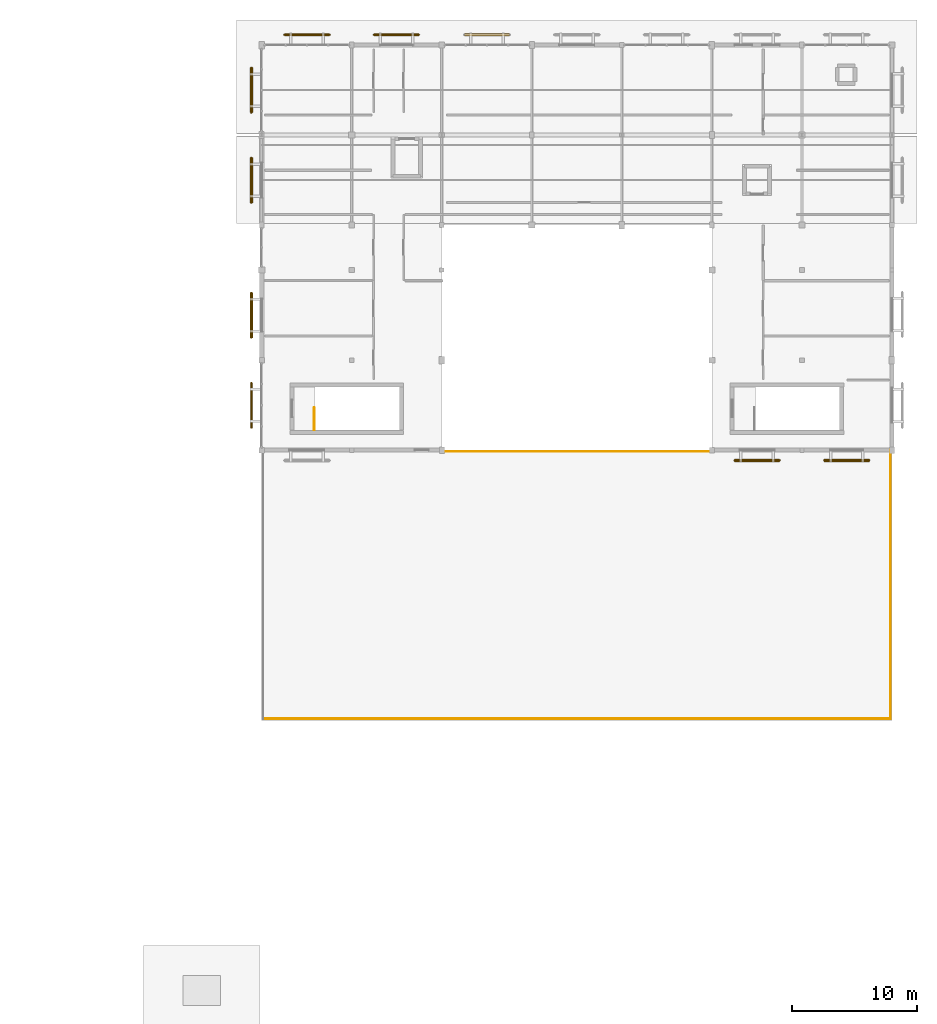
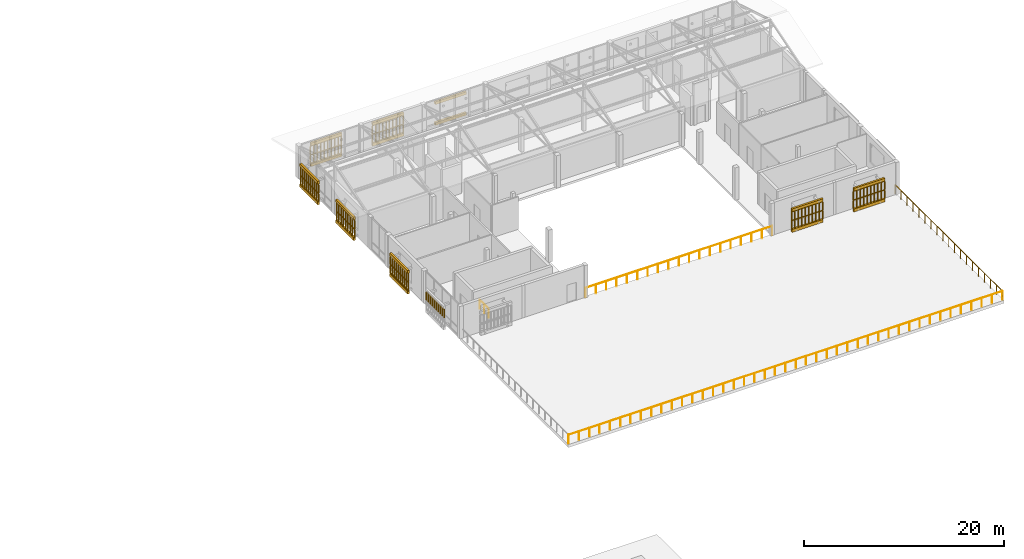
# One storey, part 60 of 61: 19 railings, 16 coverings.
"""IFC4 building model written with IfcOpenShell, lengths in metres."""

import ifcopenshell
import ifcopenshell.guid

model = None  # the IFC model being written
_history = None  # IfcOwnerHistory: only IFC2X3 demands one
_inside = {}  # id of a spatial element -> (the spatial element, [elements in it])
_under = {}  # id of a project, library or spatial element -> (it, [spatial elements below it])
_declared = {}  # id of a project -> (the project, [libraries it declares])
_typed = {}  # id of a type object -> (the type object, [elements of that type])
_made_of = {}  # id of a material, layer set ... -> (it, [elements and type objects made of it])


def new_model(schema):
    """Start an empty IFC model of exactly this schema.

    Asked for "IFC4X3", IfcOpenShell would pick the latest addendum, in which some entities
    have other attributes; the version numbers below select the first issue.
    IFC2X3 requires an IfcOwnerHistory on every rooted entity: one is made here for all.
    """
    global model, _history
    if schema == "IFC4X3":
        model = ifcopenshell.file(schema_version=(4, 3, 0, 0))
    else:
        model = ifcopenshell.file(schema=schema)
    _inside.clear()
    _under.clear()
    _declared.clear()
    _typed.clear()
    _made_of.clear()
    _history = None
    if model.schema == "IFC2X3":
        org = make("IfcOrganization", Name="unknown")
        user = make(
            "IfcPersonAndOrganization",
            ThePerson=make("IfcPerson", FamilyName="unknown"),
            TheOrganization=org,
        )
        app = make(
            "IfcApplication",
            ApplicationDeveloper=org,
            Version="unknown",
            ApplicationFullName="unknown",
            ApplicationIdentifier="unknown",
        )
        _history = make(
            "IfcOwnerHistory",
            OwningUser=user,
            OwningApplication=app,
            ChangeAction="ADDED",
            CreationDate=0,
        )
    return model


def make(cls, **values):
    """One entity of the class cls with the attributes given. An attribute that is None is left unset."""
    return model.create_entity(
        cls, **{name: value for name, value in values.items() if value is not None}
    )


def rooted(cls, **values):
    """An entity with a GlobalId (a new one), such as an element, a storey or a relation."""
    return make(cls, GlobalId=ifcopenshell.guid.new(), OwnerHistory=_history, **values)


def si_unit(unit_type, name, prefix=None):
    """IfcSIUnit, for example si_unit("LENGTHUNIT", "METRE", prefix="MILLI")."""
    return make("IfcSIUnit", UnitType=unit_type, Prefix=prefix, Name=name)


def assignment(units):
    """IfcUnitAssignment: the units of a project."""
    return None if units is None else make("IfcUnitAssignment", Units=units)


def point(xyz):
    """IfcCartesianPoint."""
    return None if xyz is None else make("IfcCartesianPoint", Coordinates=xyz)


def direction(xyz):
    """IfcDirection."""
    return None if xyz is None else make("IfcDirection", DirectionRatios=xyz)


def frame(location, z_axis=None, x_axis=None):
    """IfcAxis2Placement3D, a coordinate frame: its origin and axes. An axis left out is left unset."""
    return make(
        "IfcAxis2Placement3D",
        Location=point(location),
        Axis=direction(z_axis),
        RefDirection=direction(x_axis),
    )


def frame_2d(location, x_axis=None):
    """IfcAxis2Placement2D, a coordinate frame in the plane: its origin and x axis."""
    return make(
        "IfcAxis2Placement2D", Location=point(location), RefDirection=direction(x_axis)
    )


def origin():
    """The frame at (0, 0, 0) with its axes left unset."""
    return frame((0.0, 0.0, 0.0))


def origin_2d():
    """The frame at (0, 0) in the plane with its x axis left unset."""
    return frame_2d((0.0, 0.0))


def place(relative_to, where):
    """IfcLocalPlacement: puts the frame where relative to a parent placement (None: the world)."""
    return make(
        "IfcLocalPlacement", PlacementRelTo=relative_to, RelativePlacement=where
    )


def context(
    kind, dimensions, precision=None, world=None, true_north=None, identifier=None
):
    """IfcGeometricRepresentationContext, for example the 3D "Model" context."""
    return make(
        "IfcGeometricRepresentationContext",
        ContextIdentifier=identifier,
        ContextType=kind,
        CoordinateSpaceDimension=dimensions,
        Precision=precision,
        WorldCoordinateSystem=world,
        TrueNorth=true_north,
    )


def subcontext(parent, identifier, kind, view, scale=None):
    """IfcGeometricRepresentationSubContext, for example "Body" below "Model"."""
    return make(
        "IfcGeometricRepresentationSubContext",
        ContextIdentifier=identifier,
        ContextType=kind,
        ParentContext=parent,
        TargetScale=scale,
        TargetView=view,
    )


def project(units=None, contexts=None):
    """IfcProject with its units and contexts."""
    return rooted(
        "IfcProject",
        Name="project",
        RepresentationContexts=contexts,
        UnitsInContext=assignment(units),
    )


def spatial(cls, under=None, at=None, **own):
    """A site, building, storey or space (cls), placed at a placement, below another one or the project."""
    s = rooted(cls, ObjectPlacement=at, **own)
    if under is not None:
        _under.setdefault(under.id(), (under, []))[1].append(s)
    return s


def polyline(points):
    """IfcPolyline through the points."""
    return make("IfcPolyline", Points=[point(p) for p in points])


def profile(cls, at=None, kind="AREA", **sizes):
    """A parametric profile (cls). Its sizes go by their IFC names, for example OverallWidth=200.0."""
    return make(cls, ProfileType=kind, Position=at, **sizes)


def circle(**sizes):
    """IfcCircleProfileDef."""
    return profile("IfcCircleProfileDef", **sizes)


def outline(outer, holes=None, kind="AREA"):
    """IfcArbitraryClosedProfileDef: a profile drawn as a closed curve; with holes, ...WithVoids."""
    if holes is None:
        return make("IfcArbitraryClosedProfileDef", ProfileType=kind, OuterCurve=outer)
    return make(
        "IfcArbitraryProfileDefWithVoids",
        ProfileType=kind,
        OuterCurve=outer,
        InnerCurves=holes,
    )


def extrude(swept, where, along, depth):
    """IfcExtrudedAreaSolid: the profile swept, set in the frame where, extruded along a direction by depth."""
    return make(
        "IfcExtrudedAreaSolid",
        SweptArea=swept,
        Position=where,
        ExtrudedDirection=direction(along),
        Depth=depth,
    )


def shape(context_of_items, identifier, shape_type, items):
    """IfcShapeRepresentation: the items that make up one representation, for example the "Body"."""
    return make(
        "IfcShapeRepresentation",
        ContextOfItems=context_of_items,
        RepresentationIdentifier=identifier,
        RepresentationType=shape_type,
        Items=items,
    )


def material(Name=None, Category=None):
    """IfcMaterial."""
    return make("IfcMaterial", Name=Name, Category=Category)


def layer(
    of_material, thickness, ventilated=None, Name=None, Category=None, Priority=None
):
    """IfcMaterialLayer: one layer of a wall or slab, of a material (None: an air gap)."""
    return make(
        "IfcMaterialLayer",
        Material=of_material,
        LayerThickness=thickness,
        IsVentilated=ventilated,
        Name=Name,
        Category=Category,
        Priority=Priority,
    )


def layer_set(layers, Name=None):
    """IfcMaterialLayerSet."""
    return make("IfcMaterialLayerSet", MaterialLayers=layers, LayerSetName=Name)


def made_of(thing, what):
    """Note that an element or type object is made of a material, layer set ...; save() writes the relation."""
    if what is not None:
        _made_of.setdefault(what.id(), (what, []))[1].append(thing)
    return thing


def type_object(cls, material=None, **own):
    """A type object (cls), such as IfcWallType, which elements share."""
    return made_of(rooted(cls, **own), material)


def element(
    cls,
    number,
    at=None,
    inside=None,
    cuts=None,
    type_object=None,
    material=None,
    context=None,
    identifier="Body",
    shape_type=None,
    held_by="IfcProductDefinitionShape",
    body=None,
    shapes=None,
    **own,
):
    """One element of the class cls, such as IfcWall. Its Tag is "e" and its number.

    at: its placement. inside: the storey or other place that contains it. cuts: it is an
    opening in that element (IfcRelVoidsElement). A single representation is given by context,
    identifier, shape_type and body (its items); several are given by shapes. held_by: the class
    of the entity that holds the representations. save() writes the other relations.
    """
    e = rooted(cls, Tag="e%d" % number, ObjectPlacement=at, **own)
    if body is not None:
        shapes = [shape(context, identifier, shape_type, body)]
    if shapes is not None:
        e.Representation = make(held_by, Representations=shapes)
    if inside is not None:
        _inside.setdefault(inside.id(), (inside, []))[1].append(e)
    if cuts is not None:
        rooted(
            "IfcRelVoidsElement", RelatingBuildingElement=cuts, RelatedOpeningElement=e
        )
    if type_object is not None:
        _typed.setdefault(type_object.id(), (type_object, []))[1].append(e)
    return made_of(e, material)


def aggregate(whole, parts):
    """IfcRelAggregates: a whole, such as a stair, and the parts it consists of."""
    return rooted("IfcRelAggregates", RelatingObject=whole, RelatedObjects=parts)


def save(model, path):
    """Write the relations noted so far, then the file.

    IfcRelAggregates (storeys below a building ...), IfcRelContainedInSpatialStructure (elements
    in a storey), IfcRelDefinesByType, IfcRelAssociatesMaterial and IfcRelDeclares: one each for
    every whole, place, type object, material and project.
    """
    for whole, parts in _under.values():
        aggregate(whole, parts)
    for where, things in _inside.values():
        rooted(
            "IfcRelContainedInSpatialStructure",
            RelatedElements=things,
            RelatingStructure=where,
        )
    for kind, things in _typed.values():
        rooted("IfcRelDefinesByType", RelatedObjects=things, RelatingType=kind)
    for what, things in _made_of.values():
        rooted("IfcRelAssociatesMaterial", RelatedObjects=things, RelatingMaterial=what)
    for by, libraries in _declared.values():
        rooted("IfcRelDeclares", RelatingContext=by, RelatedDefinitions=libraries)
    model.write(path)


model = new_model("IFC4")

# Units and contexts
model_context = context("Model", 3, precision=1e-05, world=origin(), true_north=direction((0.0, 1.0)))
body_context = subcontext(model_context, "Body", "Model", "MODEL_VIEW")
ifc_project = project(units=[si_unit("LENGTHUNIT", "METRE"), si_unit("AREAUNIT", "SQUARE_METRE"), si_unit("VOLUMEUNIT", "CUBIC_METRE"), si_unit("PLANEANGLEUNIT", "RADIAN"), si_unit("MASSUNIT", "GRAM", prefix="KILO")], contexts=[model_context])

# Site, building, storey
site_placement = place(None, origin())
site = spatial("IfcSite", under=ifc_project, at=site_placement, CompositionType="ELEMENT")
building_placement = place(site_placement, origin())
building = spatial("IfcBuilding", under=site, at=building_placement, Name="Mazaris Harbour Polytechnic", CompositionType="ELEMENT")
storey_placement = place(building_placement, frame((0.0, 0.0, 18.0)))
storey = spatial("IfcBuildingStorey", under=building, at=storey_placement, Name="L04", CompositionType="ELEMENT", Elevation=18.0)

# Railings
ifc_material_1 = material(Name="Algerian Buff Limestone", Category="masonry")
railing_type_1 = type_object("IfcRailingType", Name="Limestone Roof Garden Balustrade 1100", PredefinedType="BALUSTRADE", material=ifc_material_1)
railing_1_placement = place(storey_placement, frame((122.52001953125, 46.919921875, 0.0)))
element("IfcRailing", 1, at=railing_1_placement, inside=storey, type_object=railing_type_1, Name="Railing BAL-V5-S", PredefinedType="BALUSTRADE", context=body_context, shape_type="SweptSolid", body=[
    extrude(circle(Radius=0.02392578125, at=origin_2d()), frame((0.0, 0.0, 1.09619140625), z_axis=(1.0, 0.0, 0.0), x_axis=(0.0, 1.0, 0.0)), (0.0, 0.0, 1.0), 50.159912109375),
    extrude(circle(Radius=0.02099609375, at=origin_2d()), origin(), (0.0, 0.0, 1.0), 1.072021484375),
    extrude(circle(Radius=0.02099609375, at=origin_2d()), frame((1.1943359375, 0.0, 0.0)), (0.0, 0.0, 1.0), 1.072021484375),
    extrude(circle(Radius=0.02099609375, at=origin_2d()), frame((2.388671875, 0.0, 0.0)), (0.0, 0.0, 1.0), 1.072021484375),
    extrude(circle(Radius=0.02099609375, at=origin_2d()), frame((3.582763671875, 0.0, 0.0)), (0.0, 0.0, 1.0), 1.072021484375),
    extrude(circle(Radius=0.02099609375, at=origin_2d()), frame((4.777099609375, 0.0, 0.0)), (0.0, 0.0, 1.0), 1.072021484375),
    extrude(circle(Radius=0.02099609375, at=origin_2d()), frame((5.971435546875, 0.0, 0.0)), (0.0, 0.0, 1.0), 1.072021484375),
    extrude(circle(Radius=0.02099609375, at=origin_2d()), frame((7.165771484375, 0.0, 0.0)), (0.0, 0.0, 1.0), 1.072021484375),
    extrude(circle(Radius=0.02099609375, at=origin_2d()), frame((8.35986328125, 0.0, 0.0)), (0.0, 0.0, 1.0), 1.072021484375),
    extrude(circle(Radius=0.02099609375, at=origin_2d()), frame((9.55419921875, 0.0, 0.0)), (0.0, 0.0, 1.0), 1.072021484375),
    extrude(circle(Radius=0.02099609375, at=origin_2d()), frame((10.74853515625, 0.0, 0.0)), (0.0, 0.0, 1.0), 1.072021484375),
    extrude(circle(Radius=0.02099609375, at=origin_2d()), frame((11.94287109375, 0.0, 0.0)), (0.0, 0.0, 1.0), 1.072021484375),
    extrude(circle(Radius=0.02099609375, at=origin_2d()), frame((13.13720703125, 0.0, 0.0)), (0.0, 0.0, 1.0), 1.072021484375),
    extrude(circle(Radius=0.02099609375, at=origin_2d()), frame((14.331298828125, 0.0, 0.0)), (0.0, 0.0, 1.0), 1.072021484375),
    extrude(circle(Radius=0.02099609375, at=origin_2d()), frame((15.525634765625, 0.0, 0.0)), (0.0, 0.0, 1.0), 1.072021484375),
    extrude(circle(Radius=0.02099609375, at=origin_2d()), frame((16.719970703125, 0.0, 0.0)), (0.0, 0.0, 1.0), 1.072021484375),
    extrude(circle(Radius=0.02099609375, at=origin_2d()), frame((17.914306640625, 0.0, 0.0)), (0.0, 0.0, 1.0), 1.072021484375),
    extrude(circle(Radius=0.02099609375, at=origin_2d()), frame((19.108642578125, 0.0, 0.0)), (0.0, 0.0, 1.0), 1.072021484375),
    extrude(circle(Radius=0.02099609375, at=origin_2d()), frame((20.302734375, 0.0, 0.0)), (0.0, 0.0, 1.0), 1.072021484375),
    extrude(circle(Radius=0.02099609375, at=origin_2d()), frame((21.4970703125, 0.0, 0.0)), (0.0, 0.0, 1.0), 1.072021484375),
    extrude(circle(Radius=0.02099609375, at=origin_2d()), frame((22.69140625, 0.0, 0.0)), (0.0, 0.0, 1.0), 1.072021484375),
    extrude(circle(Radius=0.02099609375, at=origin_2d()), frame((23.8857421875, 0.0, 0.0)), (0.0, 0.0, 1.0), 1.072021484375),
    extrude(circle(Radius=0.02099609375, at=origin_2d()), frame((25.080078125, 0.0, 0.0)), (0.0, 0.0, 1.0), 1.072021484375),
    extrude(circle(Radius=0.02099609375, at=origin_2d()), frame((26.274169921875, 0.0, 0.0)), (0.0, 0.0, 1.0), 1.072021484375),
    extrude(circle(Radius=0.02099609375, at=origin_2d()), frame((27.468505859375, 0.0, 0.0)), (0.0, 0.0, 1.0), 1.072021484375),
    extrude(circle(Radius=0.02099609375, at=origin_2d()), frame((28.662841796875, 0.0, 0.0)), (0.0, 0.0, 1.0), 1.072021484375),
    extrude(circle(Radius=0.02099609375, at=origin_2d()), frame((29.857177734375, 0.0, 0.0)), (0.0, 0.0, 1.0), 1.072021484375),
    extrude(circle(Radius=0.02099609375, at=origin_2d()), frame((31.05126953125, 0.0, 0.0)), (0.0, 0.0, 1.0), 1.072021484375),
    extrude(circle(Radius=0.02099609375, at=origin_2d()), frame((32.24560546875, 0.0, 0.0)), (0.0, 0.0, 1.0), 1.072021484375),
    extrude(circle(Radius=0.02099609375, at=origin_2d()), frame((33.43994140625, 0.0, 0.0)), (0.0, 0.0, 1.0), 1.072021484375),
    extrude(circle(Radius=0.02099609375, at=origin_2d()), frame((34.63427734375, 0.0, 0.0)), (0.0, 0.0, 1.0), 1.072021484375),
    extrude(circle(Radius=0.02099609375, at=origin_2d()), frame((35.82861328125, 0.0, 0.0)), (0.0, 0.0, 1.0), 1.072021484375),
    extrude(circle(Radius=0.02099609375, at=origin_2d()), frame((37.022705078125, 0.0, 0.0)), (0.0, 0.0, 1.0), 1.072021484375),
    extrude(circle(Radius=0.02099609375, at=origin_2d()), frame((38.217041015625, 0.0, 0.0)), (0.0, 0.0, 1.0), 1.072021484375),
    extrude(circle(Radius=0.02099609375, at=origin_2d()), frame((39.411376953125, 0.0, 0.0)), (0.0, 0.0, 1.0), 1.072021484375),
    extrude(circle(Radius=0.02099609375, at=origin_2d()), frame((40.605712890625, 0.0, 0.0)), (0.0, 0.0, 1.0), 1.072021484375),
    extrude(circle(Radius=0.02099609375, at=origin_2d()), frame((41.7998046875, 0.0, 0.0)), (0.0, 0.0, 1.0), 1.072021484375),
    extrude(circle(Radius=0.02099609375, at=origin_2d()), frame((42.994140625, 0.0, 0.0)), (0.0, 0.0, 1.0), 1.072021484375),
    extrude(circle(Radius=0.02099609375, at=origin_2d()), frame((44.1884765625, 0.0, 0.0)), (0.0, 0.0, 1.0), 1.072021484375),
    extrude(circle(Radius=0.02099609375, at=origin_2d()), frame((45.3828125, 0.0, 0.0)), (0.0, 0.0, 1.0), 1.072021484375),
    extrude(circle(Radius=0.02099609375, at=origin_2d()), frame((46.5771484375, 0.0, 0.0)), (0.0, 0.0, 1.0), 1.072021484375),
    extrude(circle(Radius=0.02099609375, at=origin_2d()), frame((47.771240234375, 0.0, 0.0)), (0.0, 0.0, 1.0), 1.072021484375),
    extrude(circle(Radius=0.02099609375, at=origin_2d()), frame((48.965576171875, 0.0, 0.0)), (0.0, 0.0, 1.0), 1.072021484375),
    extrude(circle(Radius=0.02099609375, at=origin_2d()), frame((50.159912109375, 0.0, 0.0)), (0.0, 0.0, 1.0), 1.072021484375),
])
railing_2_placement = place(storey_placement, frame((172.679931640625, 46.919921875, 0.0)))
element("IfcRailing", 2, at=railing_2_placement, inside=storey, type_object=railing_type_1, Name="Railing BAL-V5-E", PredefinedType="BALUSTRADE", context=body_context, shape_type="SweptSolid", body=[
    extrude(circle(Radius=0.02392578125, at=origin_2d()), frame((0.0, 0.0, 1.09619140625), z_axis=(0.0, 1.0, 0.0), x_axis=(-1.0, 0.0, 0.0)), (0.0, 0.0, 1.0), 21.47998046875),
    extrude(circle(Radius=0.02099609375, at=origin_2d()), origin(), (0.0, 0.0, 1.0), 1.072021484375),
    extrude(circle(Radius=0.02099609375, at=origin_2d()), frame((0.0, 1.193359375, 0.0)), (0.0, 0.0, 1.0), 1.072021484375),
    extrude(circle(Radius=0.02099609375, at=origin_2d()), frame((0.0, 2.38671875, 0.0)), (0.0, 0.0, 1.0), 1.072021484375),
    extrude(circle(Radius=0.02099609375, at=origin_2d()), frame((0.0, 3.580078125, 0.0)), (0.0, 0.0, 1.0), 1.072021484375),
    extrude(circle(Radius=0.02099609375, at=origin_2d()), frame((0.0, 4.7734375, 0.0)), (0.0, 0.0, 1.0), 1.072021484375),
    extrude(circle(Radius=0.02099609375, at=origin_2d()), frame((0.0, 5.966552734375, 0.0)), (0.0, 0.0, 1.0), 1.072021484375),
    extrude(circle(Radius=0.02099609375, at=origin_2d()), frame((0.0, 7.159912109375, 0.0)), (0.0, 0.0, 1.0), 1.072021484375),
    extrude(circle(Radius=0.02099609375, at=origin_2d()), frame((0.0, 8.353271484375, 0.0)), (0.0, 0.0, 1.0), 1.072021484375),
    extrude(circle(Radius=0.02099609375, at=origin_2d()), frame((0.0, 9.546630859375, 0.0)), (0.0, 0.0, 1.0), 1.072021484375),
    extrude(circle(Radius=0.02099609375, at=origin_2d()), frame((0.0, 10.739990234375, 0.0)), (0.0, 0.0, 1.0), 1.072021484375),
    extrude(circle(Radius=0.02099609375, at=origin_2d()), frame((0.0, 11.933349609375, 0.0)), (0.0, 0.0, 1.0), 1.072021484375),
    extrude(circle(Radius=0.02099609375, at=origin_2d()), frame((0.0, 13.126708984375, 0.0)), (0.0, 0.0, 1.0), 1.072021484375),
    extrude(circle(Radius=0.02099609375, at=origin_2d()), frame((0.0, 14.320068359375, 0.0)), (0.0, 0.0, 1.0), 1.072021484375),
    extrude(circle(Radius=0.02099609375, at=origin_2d()), frame((0.0, 15.513427734375, 0.0)), (0.0, 0.0, 1.0), 1.072021484375),
    extrude(circle(Radius=0.02099609375, at=origin_2d()), frame((0.0, 16.70654296875, 0.0)), (0.0, 0.0, 1.0), 1.072021484375),
    extrude(circle(Radius=0.02099609375, at=origin_2d()), frame((0.0, 17.89990234375, 0.0)), (0.0, 0.0, 1.0), 1.072021484375),
    extrude(circle(Radius=0.02099609375, at=origin_2d()), frame((0.0, 19.09326171875, 0.0)), (0.0, 0.0, 1.0), 1.072021484375),
    extrude(circle(Radius=0.02099609375, at=origin_2d()), frame((0.0, 20.28662109375, 0.0)), (0.0, 0.0, 1.0), 1.072021484375),
    extrude(circle(Radius=0.02099609375, at=origin_2d()), frame((0.0, 21.47998046875, 0.0)), (0.0, 0.0, 1.0), 1.072021484375),
])
railing_3_placement = place(storey_placement, frame((158.39990234375, 68.280029296875, 0.0)))
element("IfcRailing", 3, at=railing_3_placement, inside=storey, type_object=railing_type_1, Name="Railing BAL-V5-N-COURT", PredefinedType="BALUSTRADE", context=body_context, shape_type="SweptSolid", body=[
    extrude(circle(Radius=0.02392578125, at=origin_2d()), frame((0.0, 0.0, 1.09619140625), z_axis=(-1.0, 0.0, 0.0), x_axis=(0.0, -1.0, 0.0)), (0.0, 0.0, 1.0), 21.599853515625),
    extrude(circle(Radius=0.02099609375, at=origin_2d()), origin(), (0.0, 0.0, 1.0), 1.072021484375),
    extrude(circle(Radius=0.02099609375, at=origin_2d()), frame((-1.199951171875, 0.0, 0.0)), (0.0, 0.0, 1.0), 1.072021484375),
    extrude(circle(Radius=0.02099609375, at=origin_2d()), frame((-2.39990234375, 0.0, 0.0)), (0.0, 0.0, 1.0), 1.072021484375),
    extrude(circle(Radius=0.02099609375, at=origin_2d()), frame((-3.60009765625, 0.0, 0.0)), (0.0, 0.0, 1.0), 1.072021484375),
    extrude(circle(Radius=0.02099609375, at=origin_2d()), frame((-4.800048828125, 0.0, 0.0)), (0.0, 0.0, 1.0), 1.072021484375),
    extrude(circle(Radius=0.02099609375, at=origin_2d()), frame((-6.0, 0.0, 0.0)), (0.0, 0.0, 1.0), 1.072021484375),
    extrude(circle(Radius=0.02099609375, at=origin_2d()), frame((-7.199951171875, 0.0, 0.0)), (0.0, 0.0, 1.0), 1.072021484375),
    extrude(circle(Radius=0.02099609375, at=origin_2d()), frame((-8.39990234375, 0.0, 0.0)), (0.0, 0.0, 1.0), 1.072021484375),
    extrude(circle(Radius=0.02099609375, at=origin_2d()), frame((-9.599853515625, 0.0, 0.0)), (0.0, 0.0, 1.0), 1.072021484375),
    extrude(circle(Radius=0.02099609375, at=origin_2d()), frame((-10.7998046875, 0.0, 0.0)), (0.0, 0.0, 1.0), 1.072021484375),
    extrude(circle(Radius=0.02099609375, at=origin_2d()), frame((-12.0, 0.0, 0.0)), (0.0, 0.0, 1.0), 1.072021484375),
    extrude(circle(Radius=0.02099609375, at=origin_2d()), frame((-13.199951171875, 0.0, 0.0)), (0.0, 0.0, 1.0), 1.072021484375),
    extrude(circle(Radius=0.02099609375, at=origin_2d()), frame((-14.39990234375, 0.0, 0.0)), (0.0, 0.0, 1.0), 1.072021484375),
    extrude(circle(Radius=0.02099609375, at=origin_2d()), frame((-15.599853515625, 0.0, 0.0)), (0.0, 0.0, 1.0), 1.072021484375),
    extrude(circle(Radius=0.02099609375, at=origin_2d()), frame((-16.7998046875, 0.0, 0.0)), (0.0, 0.0, 1.0), 1.072021484375),
    extrude(circle(Radius=0.02099609375, at=origin_2d()), frame((-18.0, 0.0, 0.0)), (0.0, 0.0, 1.0), 1.072021484375),
    extrude(circle(Radius=0.02099609375, at=origin_2d()), frame((-19.199951171875, 0.0, 0.0)), (0.0, 0.0, 1.0), 1.072021484375),
    extrude(circle(Radius=0.02099609375, at=origin_2d()), frame((-20.39990234375, 0.0, 0.0)), (0.0, 0.0, 1.0), 1.072021484375),
    extrude(circle(Radius=0.02099609375, at=origin_2d()), frame((-21.599853515625, 0.0, 0.0)), (0.0, 0.0, 1.0), 1.072021484375),
])
ifc_material_2 = material(Name="Perforated Earth-Coloured Terracotta Block", Category="masonry")
railing_type_2 = type_object("IfcRailingType", Name="Perforated Earth-Block Claustra Lattice 1040", PredefinedType="BALUSTRADE", material=ifc_material_2)
for number, where, name in (
    (4, (163.820068359375, 67.580078125, 0.52001953125), "V5 L04 Lower Perforated Terracotta Block Screen 486"),
    (5, (163.820068359375, 67.580078125, 1.610107421875), "V5 L04 Upper Perforated Terracotta Block Screen 486"),
    (6, (170.985107421875, 67.580078125, 0.52001953125), "V5 L04 Lower Perforated Terracotta Block Screen 487"),
    (7, (170.985107421875, 67.580078125, 1.610107421875), "V5 L04 Upper Perforated Terracotta Block Screen 487"),
):
    element("IfcRailing", number, at=place(storey_placement, frame(where)), inside=storey, type_object=railing_type_2, Name=name, PredefinedType="BALUSTRADE", context=body_context, shape_type="SweptSolid", body=[
        extrude(circle(Radius=0.06982421875, at=origin_2d()), frame((0.0, 0.0, 1.02001953125), z_axis=(-1.0, 0.0, 0.0), x_axis=(0.0, -1.0, 0.0)), (0.0, 0.0, 1.0), 3.60009765625),
        extrude(circle(Radius=0.074951171875, at=origin_2d()), origin(), (0.0, 0.0, 1.0), 0.9501953125),
        extrude(circle(Radius=0.074951171875, at=origin_2d()), frame((-0.39990234375, 0.0, 0.0)), (0.0, 0.0, 1.0), 0.9501953125),
        extrude(circle(Radius=0.074951171875, at=origin_2d()), frame((-0.800048828125, 0.0, 0.0)), (0.0, 0.0, 1.0), 0.9501953125),
        extrude(circle(Radius=0.074951171875, at=origin_2d()), frame((-1.199951171875, 0.0, 0.0)), (0.0, 0.0, 1.0), 0.9501953125),
        extrude(circle(Radius=0.074951171875, at=origin_2d()), frame((-1.60009765625, 0.0, 0.0)), (0.0, 0.0, 1.0), 0.9501953125),
        extrude(circle(Radius=0.074951171875, at=origin_2d()), frame((-2.0, 0.0, 0.0)), (0.0, 0.0, 1.0), 0.9501953125),
        extrude(circle(Radius=0.074951171875, at=origin_2d()), frame((-2.400146484375, 0.0, 0.0)), (0.0, 0.0, 1.0), 0.9501953125),
        extrude(circle(Radius=0.074951171875, at=origin_2d()), frame((-2.800048828125, 0.0, 0.0)), (0.0, 0.0, 1.0), 0.9501953125),
        extrude(circle(Radius=0.074951171875, at=origin_2d()), frame((-3.2001953125, 0.0, 0.0)), (0.0, 0.0, 1.0), 0.9501953125),
        extrude(circle(Radius=0.074951171875, at=origin_2d()), frame((-3.60009765625, 0.0, 0.0)), (0.0, 0.0, 1.0), 0.9501953125),
    ])
for number, where, name in (
    (8, (124.219970703125, 101.6201171875, 0.52001953125), "V5 L04 Lower Perforated Terracotta Block Screen 488"),
    (9, (124.219970703125, 101.6201171875, 1.610107421875), "V5 L04 Upper Perforated Terracotta Block Screen 488"),
    (10, (131.375, 101.6201171875, 0.52001953125), "V5 L04 Lower Perforated Terracotta Block Screen 489"),
    (11, (131.375, 101.6201171875, 1.610107421875), "V5 L04 Upper Perforated Terracotta Block Screen 489"),
):
    element("IfcRailing", number, at=place(storey_placement, frame(where)), inside=storey, type_object=railing_type_2, Name=name, PredefinedType="BALUSTRADE", context=body_context, shape_type="SweptSolid", body=[
        extrude(circle(Radius=0.06982421875, at=origin_2d()), frame((0.0, 0.0, 1.02001953125), z_axis=(1.0, 0.0, 0.0), x_axis=(0.0, 1.0, 0.0)), (0.0, 0.0, 1.0), 3.60009765625),
        extrude(circle(Radius=0.074951171875, at=origin_2d()), origin(), (0.0, 0.0, 1.0), 0.9501953125),
        extrude(circle(Radius=0.074951171875, at=origin_2d()), frame((0.39990234375, 0.0, 0.0)), (0.0, 0.0, 1.0), 0.9501953125),
        extrude(circle(Radius=0.074951171875, at=origin_2d()), frame((0.800048828125, 0.0, 0.0)), (0.0, 0.0, 1.0), 0.9501953125),
        extrude(circle(Radius=0.074951171875, at=origin_2d()), frame((1.199951171875, 0.0, 0.0)), (0.0, 0.0, 1.0), 0.9501953125),
        extrude(circle(Radius=0.074951171875, at=origin_2d()), frame((1.60009765625, 0.0, 0.0)), (0.0, 0.0, 1.0), 0.9501953125),
        extrude(circle(Radius=0.074951171875, at=origin_2d()), frame((2.0, 0.0, 0.0)), (0.0, 0.0, 1.0), 0.9501953125),
        extrude(circle(Radius=0.074951171875, at=origin_2d()), frame((2.400146484375, 0.0, 0.0)), (0.0, 0.0, 1.0), 0.9501953125),
        extrude(circle(Radius=0.074951171875, at=origin_2d()), frame((2.800048828125, 0.0, 0.0)), (0.0, 0.0, 1.0), 0.9501953125),
        extrude(circle(Radius=0.074951171875, at=origin_2d()), frame((3.2001953125, 0.0, 0.0)), (0.0, 0.0, 1.0), 0.9501953125),
        extrude(circle(Radius=0.074951171875, at=origin_2d()), frame((3.60009765625, 0.0, 0.0)), (0.0, 0.0, 1.0), 0.9501953125),
    ])
for number, where, name in (
    (12, (121.580078125, 70.18994140625, 1.610107421875), "V5 L04 Upper Perforated Terracotta Block Screen 495"),
    (13, (121.580078125, 77.389892578125, 0.52001953125), "V5 L04 Lower Perforated Terracotta Block Screen 496"),
    (14, (121.580078125, 77.389892578125, 1.610107421875), "V5 L04 Upper Perforated Terracotta Block Screen 496"),
):
    element("IfcRailing", number, at=place(storey_placement, frame(where)), inside=storey, type_object=railing_type_2, Name=name, PredefinedType="BALUSTRADE", context=body_context, shape_type="SweptSolid", body=[
        extrude(circle(Radius=0.06982421875, at=origin_2d()), frame((0.0, 0.0, 1.02001953125), z_axis=(0.0, 1.0, 0.0), x_axis=(-1.0, 0.0, 0.0)), (0.0, 0.0, 1.0), 3.60009765625),
        extrude(circle(Radius=0.074951171875, at=origin_2d()), origin(), (0.0, 0.0, 1.0), 0.9501953125),
        extrude(circle(Radius=0.074951171875, at=origin_2d()), frame((0.0, 0.39990234375, 0.0)), (0.0, 0.0, 1.0), 0.9501953125),
        extrude(circle(Radius=0.074951171875, at=origin_2d()), frame((0.0, 0.800048828125, 0.0)), (0.0, 0.0, 1.0), 0.9501953125),
        extrude(circle(Radius=0.074951171875, at=origin_2d()), frame((0.0, 1.199951171875, 0.0)), (0.0, 0.0, 1.0), 0.9501953125),
        extrude(circle(Radius=0.074951171875, at=origin_2d()), frame((0.0, 1.60009765625, 0.0)), (0.0, 0.0, 1.0), 0.9501953125),
        extrude(circle(Radius=0.074951171875, at=origin_2d()), frame((0.0, 2.0, 0.0)), (0.0, 0.0, 1.0), 0.9501953125),
        extrude(circle(Radius=0.074951171875, at=origin_2d()), frame((0.0, 2.400146484375, 0.0)), (0.0, 0.0, 1.0), 0.9501953125),
        extrude(circle(Radius=0.074951171875, at=origin_2d()), frame((0.0, 2.800048828125, 0.0)), (0.0, 0.0, 1.0), 0.9501953125),
        extrude(circle(Radius=0.074951171875, at=origin_2d()), frame((0.0, 3.2001953125, 0.0)), (0.0, 0.0, 1.0), 0.9501953125),
        extrude(circle(Radius=0.074951171875, at=origin_2d()), frame((0.0, 3.60009765625, 0.0)), (0.0, 0.0, 1.0), 0.9501953125),
    ])
for number, where, name in (
    (15, (121.580078125, 88.18505859375, 0.52001953125), "V5 L04 Lower Perforated Terracotta Block Screen 497"),
    (16, (121.580078125, 88.18505859375, 1.610107421875), "V5 L04 Upper Perforated Terracotta Block Screen 497"),
):
    element("IfcRailing", number, at=place(storey_placement, frame(where)), inside=storey, type_object=railing_type_2, Name=name, PredefinedType="BALUSTRADE", context=body_context, shape_type="SweptSolid", body=[
        extrude(circle(Radius=0.06982421875, at=origin_2d()), frame((0.0, 0.0, 1.02001953125), z_axis=(0.0, 1.0, 0.0), x_axis=(-1.0, 0.0, 0.0)), (0.0, 0.0, 1.0), 3.599853515625),
        extrude(circle(Radius=0.074951171875, at=origin_2d()), origin(), (0.0, 0.0, 1.0), 0.9501953125),
        extrude(circle(Radius=0.074951171875, at=origin_2d()), frame((0.0, 0.449951171875, 0.0)), (0.0, 0.0, 1.0), 0.9501953125),
        extrude(circle(Radius=0.074951171875, at=origin_2d()), frame((0.0, 0.89990234375, 0.0)), (0.0, 0.0, 1.0), 0.9501953125),
        extrude(circle(Radius=0.074951171875, at=origin_2d()), frame((0.0, 1.349853515625, 0.0)), (0.0, 0.0, 1.0), 0.9501953125),
        extrude(circle(Radius=0.074951171875, at=origin_2d()), frame((0.0, 1.7998046875, 0.0)), (0.0, 0.0, 1.0), 0.9501953125),
        extrude(circle(Radius=0.074951171875, at=origin_2d()), frame((0.0, 2.25, 0.0)), (0.0, 0.0, 1.0), 0.9501953125),
        extrude(circle(Radius=0.074951171875, at=origin_2d()), frame((0.0, 2.699951171875, 0.0)), (0.0, 0.0, 1.0), 0.9501953125),
        extrude(circle(Radius=0.074951171875, at=origin_2d()), frame((0.0, 3.14990234375, 0.0)), (0.0, 0.0, 1.0), 0.9501953125),
        extrude(circle(Radius=0.074951171875, at=origin_2d()), frame((0.0, 3.599853515625, 0.0)), (0.0, 0.0, 1.0), 0.9501953125),
    ])
for number, where, name in (
    (17, (121.580078125, 95.385009765625, 0.52001953125), "V5 L04 Lower Perforated Terracotta Block Screen 498"),
    (18, (121.580078125, 95.385009765625, 1.610107421875), "V5 L04 Upper Perforated Terracotta Block Screen 498"),
):
    element("IfcRailing", number, at=place(storey_placement, frame(where)), inside=storey, type_object=railing_type_2, Name=name, PredefinedType="BALUSTRADE", context=body_context, shape_type="SweptSolid", body=[
        extrude(circle(Radius=0.06982421875, at=origin_2d()), frame((0.0, 0.0, 1.02001953125), z_axis=(0.0, 1.0, 0.0), x_axis=(-1.0, 0.0, 0.0)), (0.0, 0.0, 1.0), 3.60009765625),
        extrude(circle(Radius=0.074951171875, at=origin_2d()), origin(), (0.0, 0.0, 1.0), 0.9501953125),
        extrude(circle(Radius=0.074951171875, at=origin_2d()), frame((0.0, 0.39990234375, 0.0)), (0.0, 0.0, 1.0), 0.9501953125),
        extrude(circle(Radius=0.074951171875, at=origin_2d()), frame((0.0, 0.800048828125, 0.0)), (0.0, 0.0, 1.0), 0.9501953125),
        extrude(circle(Radius=0.074951171875, at=origin_2d()), frame((0.0, 1.199951171875, 0.0)), (0.0, 0.0, 1.0), 0.9501953125),
        extrude(circle(Radius=0.074951171875, at=origin_2d()), frame((0.0, 1.60009765625, 0.0)), (0.0, 0.0, 1.0), 0.9501953125),
        extrude(circle(Radius=0.074951171875, at=origin_2d()), frame((0.0, 2.0, 0.0)), (0.0, 0.0, 1.0), 0.9501953125),
        extrude(circle(Radius=0.074951171875, at=origin_2d()), frame((0.0, 2.400146484375, 0.0)), (0.0, 0.0, 1.0), 0.9501953125),
        extrude(circle(Radius=0.074951171875, at=origin_2d()), frame((0.0, 2.800048828125, 0.0)), (0.0, 0.0, 1.0), 0.9501953125),
        extrude(circle(Radius=0.074951171875, at=origin_2d()), frame((0.0, 3.2001953125, 0.0)), (0.0, 0.0, 1.0), 0.9501953125),
        extrude(circle(Radius=0.074951171875, at=origin_2d()), frame((0.0, 3.60009765625, 0.0)), (0.0, 0.0, 1.0), 0.9501953125),
    ])
ifc_material_3 = material(Name="Steel S355", Category="steel")
railing_type_3 = type_object("IfcRailingType", Name="Stair Well Guardrail 1100", PredefinedType="GUARDRAIL", material=ifc_material_3)
railing_4_placement = place(storey_placement, frame((126.60009765625, 70.0, 0.0)))
element("IfcRailing", 19, at=railing_4_placement, inside=storey, type_object=railing_type_3, Name="L04 ST09 top well guard 1", PredefinedType="GUARDRAIL", context=body_context, shape_type="SweptSolid", body=[
    extrude(circle(Radius=0.02392578125, at=origin_2d()), frame((0.0, 0.0, 1.076171875), z_axis=(0.0, 1.0, 0.0), x_axis=(-1.0, 0.0, 0.0)), (0.0, 0.0, 1.0), 1.800048828125),
    extrude(circle(Radius=0.02099609375, at=origin_2d()), origin(), (0.0, 0.0, 1.0), 1.052001953125),
    extrude(circle(Radius=0.02099609375, at=origin_2d()), frame((0.0, 0.89990234375, 0.0)), (0.0, 0.0, 1.0), 1.052001953125),
    extrude(circle(Radius=0.02099609375, at=origin_2d()), frame((0.0, 1.800048828125, 0.0)), (0.0, 0.0, 1.0), 1.052001953125),
])

# Coverings
ifc_material_4 = material(Name="Perforated Earth-Coloured Terracotta Block", Category="masonry")
ifc_layer = layer(ifc_material_4, 0.219970703125, Name="Perforated Earth-Coloured Terracotta Block")
ifc_layer_set = layer_set([ifc_layer], Name="Perforated Earth-Coloured Terracotta Block")
covering_type = type_object("IfcCoveringType", Name="Terracotta Screen Course Cladding 220", PredefinedType="CLADDING", material=ifc_layer_set)
covering_1_placement = place(storey_placement, frame((0.0, 0.0, 0.159912109375)))
element("IfcCovering", 20, at=covering_1_placement, inside=storey, type_object=covering_type, Name="V5 L04 Perforated Screen Sill Course 486", PredefinedType="CLADDING", context=body_context, shape_type="SweptSolid", body=[
    extrude(outline(polyline([(163.820068359375, 67.68994140625), (160.219970703125, 67.68994140625), (160.219970703125, 67.469970703125), (163.820068359375, 67.469970703125), (163.820068359375, 67.68994140625)])), origin(), (0.0, 0.0, 1.0), 0.360107421875),
])
covering_2_placement = place(storey_placement, frame((0.0, 0.0, 2.699951171875)))
element("IfcCovering", 21, at=covering_2_placement, inside=storey, type_object=covering_type, Name="V5 L04 Perforated Screen Lintel Course 486", PredefinedType="CLADDING", context=body_context, shape_type="SweptSolid", body=[
    extrude(outline(polyline([(163.820068359375, 67.68994140625), (160.219970703125, 67.68994140625), (160.219970703125, 67.469970703125), (163.820068359375, 67.469970703125), (163.820068359375, 67.68994140625)])), origin(), (0.0, 0.0, 1.0), 0.340087890625),
])
covering_3_placement = place(storey_placement, frame((0.0, 0.0, 0.159912109375)))
element("IfcCovering", 22, at=covering_3_placement, inside=storey, type_object=covering_type, Name="V5 L04 Perforated Screen Sill Course 487", PredefinedType="CLADDING", context=body_context, shape_type="SweptSolid", body=[
    extrude(outline(polyline([(170.985107421875, 67.68994140625), (167.385009765625, 67.68994140625), (167.385009765625, 67.469970703125), (170.985107421875, 67.469970703125), (170.985107421875, 67.68994140625)])), origin(), (0.0, 0.0, 1.0), 0.360107421875),
])
covering_4_placement = place(storey_placement, frame((0.0, 0.0, 2.699951171875)))
element("IfcCovering", 23, at=covering_4_placement, inside=storey, type_object=covering_type, Name="V5 L04 Perforated Screen Lintel Course 487", PredefinedType="CLADDING", context=body_context, shape_type="SweptSolid", body=[
    extrude(outline(polyline([(170.985107421875, 67.68994140625), (167.385009765625, 67.68994140625), (167.385009765625, 67.469970703125), (170.985107421875, 67.469970703125), (170.985107421875, 67.68994140625)])), origin(), (0.0, 0.0, 1.0), 0.340087890625),
])
covering_5_placement = place(storey_placement, frame((0.0, 0.0, 0.159912109375)))
element("IfcCovering", 24, at=covering_5_placement, inside=storey, type_object=covering_type, Name="V5 L04 Perforated Screen Sill Course 488", PredefinedType="CLADDING", context=body_context, shape_type="SweptSolid", body=[
    extrude(outline(polyline([(124.219970703125, 101.510009765625), (127.820068359375, 101.510009765625), (127.820068359375, 101.72998046875), (124.219970703125, 101.72998046875), (124.219970703125, 101.510009765625)])), origin(), (0.0, 0.0, 1.0), 0.360107421875),
])
covering_6_placement = place(storey_placement, frame((0.0, 0.0, 2.699951171875)))
element("IfcCovering", 25, at=covering_6_placement, inside=storey, type_object=covering_type, Name="V5 L04 Perforated Screen Lintel Course 488", PredefinedType="CLADDING", context=body_context, shape_type="SweptSolid", body=[
    extrude(outline(polyline([(124.219970703125, 101.510009765625), (127.820068359375, 101.510009765625), (127.820068359375, 101.72998046875), (124.219970703125, 101.72998046875), (124.219970703125, 101.510009765625)])), origin(), (0.0, 0.0, 1.0), 0.340087890625),
])
covering_7_placement = place(storey_placement, frame((0.0, 0.0, 0.159912109375)))
element("IfcCovering", 26, at=covering_7_placement, inside=storey, type_object=covering_type, Name="V5 L04 Perforated Screen Sill Course 489", PredefinedType="CLADDING", context=body_context, shape_type="SweptSolid", body=[
    extrude(outline(polyline([(131.375, 101.510009765625), (134.97509765625, 101.510009765625), (134.97509765625, 101.72998046875), (131.375, 101.72998046875), (131.375, 101.510009765625)])), origin(), (0.0, 0.0, 1.0), 0.360107421875),
])
covering_8_placement = place(storey_placement, frame((0.0, 0.0, 2.699951171875)))
element("IfcCovering", 27, at=covering_8_placement, inside=storey, type_object=covering_type, Name="V5 L04 Perforated Screen Lintel Course 489", PredefinedType="CLADDING", context=body_context, shape_type="SweptSolid", body=[
    extrude(outline(polyline([(131.375, 101.510009765625), (134.97509765625, 101.510009765625), (134.97509765625, 101.72998046875), (131.375, 101.72998046875), (131.375, 101.510009765625)])), origin(), (0.0, 0.0, 1.0), 0.340087890625),
])
covering_9_placement = place(storey_placement, frame((0.0, 0.0, 0.159912109375)))
element("IfcCovering", 28, at=covering_9_placement, inside=storey, type_object=covering_type, Name="V5 L04 Perforated Screen Sill Course 490", PredefinedType="CLADDING", context=body_context, shape_type="SweptSolid", body=[
    extrude(outline(polyline([(138.614990234375, 101.510009765625), (142.215087890625, 101.510009765625), (142.215087890625, 101.72998046875), (138.614990234375, 101.72998046875), (138.614990234375, 101.510009765625)])), origin(), (0.0, 0.0, 1.0), 0.360107421875),
])
covering_10_placement = place(storey_placement, frame((0.0, 0.0, 2.699951171875)))
element("IfcCovering", 29, at=covering_10_placement, inside=storey, type_object=covering_type, Name="V5 L04 Perforated Screen Lintel Course 490", PredefinedType="CLADDING", context=body_context, shape_type="SweptSolid", body=[
    extrude(outline(polyline([(138.614990234375, 101.510009765625), (142.215087890625, 101.510009765625), (142.215087890625, 101.72998046875), (138.614990234375, 101.72998046875), (138.614990234375, 101.510009765625)])), origin(), (0.0, 0.0, 1.0), 0.340087890625),
])
covering_11_placement = place(storey_placement, frame((0.0, 0.0, 0.159912109375)))
element("IfcCovering", 30, at=covering_11_placement, inside=storey, type_object=covering_type, Name="V5 L04 Perforated Screen Sill Course 496", PredefinedType="CLADDING", context=body_context, shape_type="SweptSolid", body=[
    extrude(outline(polyline([(121.68994140625, 77.389892578125), (121.68994140625, 80.989990234375), (121.469970703125, 80.989990234375), (121.469970703125, 77.389892578125), (121.68994140625, 77.389892578125)])), origin(), (0.0, 0.0, 1.0), 0.360107421875),
])
covering_12_placement = place(storey_placement, frame((0.0, 0.0, 2.699951171875)))
element("IfcCovering", 31, at=covering_12_placement, inside=storey, type_object=covering_type, Name="V5 L04 Perforated Screen Lintel Course 496", PredefinedType="CLADDING", context=body_context, shape_type="SweptSolid", body=[
    extrude(outline(polyline([(121.68994140625, 77.389892578125), (121.68994140625, 80.989990234375), (121.469970703125, 80.989990234375), (121.469970703125, 77.389892578125), (121.68994140625, 77.389892578125)])), origin(), (0.0, 0.0, 1.0), 0.340087890625),
])
covering_13_placement = place(storey_placement, frame((0.0, 0.0, 0.159912109375)))
element("IfcCovering", 32, at=covering_13_placement, inside=storey, type_object=covering_type, Name="V5 L04 Perforated Screen Sill Course 497", PredefinedType="CLADDING", context=body_context, shape_type="SweptSolid", body=[
    extrude(outline(polyline([(121.68994140625, 88.18505859375), (121.68994140625, 91.784912109375), (121.469970703125, 91.784912109375), (121.469970703125, 88.18505859375), (121.68994140625, 88.18505859375)])), origin(), (0.0, 0.0, 1.0), 0.360107421875),
])
covering_14_placement = place(storey_placement, frame((0.0, 0.0, 2.699951171875)))
element("IfcCovering", 33, at=covering_14_placement, inside=storey, type_object=covering_type, Name="V5 L04 Perforated Screen Lintel Course 497", PredefinedType="CLADDING", context=body_context, shape_type="SweptSolid", body=[
    extrude(outline(polyline([(121.68994140625, 88.18505859375), (121.68994140625, 91.784912109375), (121.469970703125, 91.784912109375), (121.469970703125, 88.18505859375), (121.68994140625, 88.18505859375)])), origin(), (0.0, 0.0, 1.0), 0.340087890625),
])
covering_15_placement = place(storey_placement, frame((0.0, 0.0, 0.159912109375)))
element("IfcCovering", 34, at=covering_15_placement, inside=storey, type_object=covering_type, Name="V5 L04 Perforated Screen Sill Course 498", PredefinedType="CLADDING", context=body_context, shape_type="SweptSolid", body=[
    extrude(outline(polyline([(121.68994140625, 95.385009765625), (121.68994140625, 98.985107421875), (121.469970703125, 98.985107421875), (121.469970703125, 95.385009765625), (121.68994140625, 95.385009765625)])), origin(), (0.0, 0.0, 1.0), 0.360107421875),
])
covering_16_placement = place(storey_placement, frame((0.0, 0.0, 2.699951171875)))
element("IfcCovering", 35, at=covering_16_placement, inside=storey, type_object=covering_type, Name="V5 L04 Perforated Screen Lintel Course 498", PredefinedType="CLADDING", context=body_context, shape_type="SweptSolid", body=[
    extrude(outline(polyline([(121.68994140625, 95.385009765625), (121.68994140625, 98.985107421875), (121.469970703125, 98.985107421875), (121.469970703125, 95.385009765625), (121.68994140625, 95.385009765625)])), origin(), (0.0, 0.0, 1.0), 0.340087890625),
])

save(model, "model.ifc")
